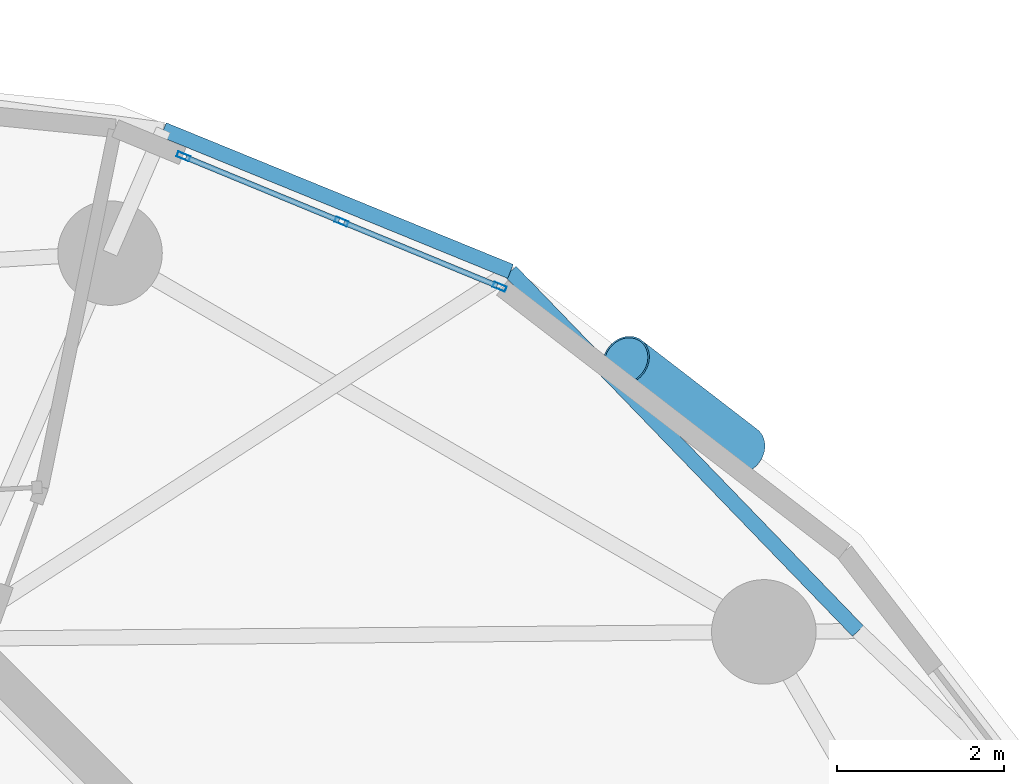
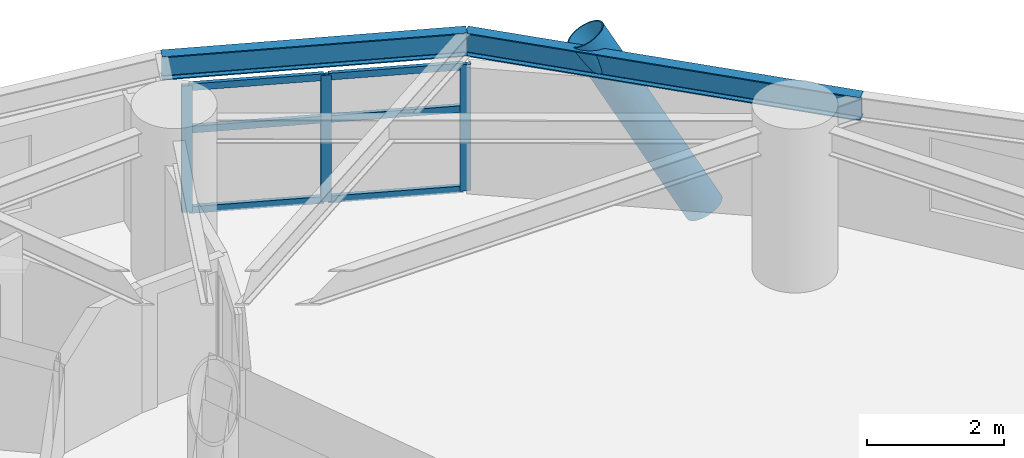
# One storey, part 5 of 16: 10 members, 2 beams, 1 element without a shape of its own.
"""IFC4 building model written with IfcOpenShell, lengths in metres."""

import ifcopenshell
import ifcopenshell.guid

model = None  # the IFC model being written
_history = None  # IfcOwnerHistory: only IFC2X3 demands one
_inside = {}  # id of a spatial element -> (the spatial element, [elements in it])
_under = {}  # id of a project, library or spatial element -> (it, [spatial elements below it])
_declared = {}  # id of a project -> (the project, [libraries it declares])
_typed = {}  # id of a type object -> (the type object, [elements of that type])
_made_of = {}  # id of a material, layer set ... -> (it, [elements and type objects made of it])


def new_model(schema):
    """Start an empty IFC model of exactly this schema.

    Asked for "IFC4X3", IfcOpenShell would pick the latest addendum, in which some entities
    have other attributes; the version numbers below select the first issue.
    IFC2X3 requires an IfcOwnerHistory on every rooted entity: one is made here for all.
    """
    global model, _history
    if schema == "IFC4X3":
        model = ifcopenshell.file(schema_version=(4, 3, 0, 0))
    else:
        model = ifcopenshell.file(schema=schema)
    _inside.clear()
    _under.clear()
    _declared.clear()
    _typed.clear()
    _made_of.clear()
    _history = None
    if model.schema == "IFC2X3":
        org = make("IfcOrganization", Name="unknown")
        user = make(
            "IfcPersonAndOrganization",
            ThePerson=make("IfcPerson", FamilyName="unknown"),
            TheOrganization=org,
        )
        app = make(
            "IfcApplication",
            ApplicationDeveloper=org,
            Version="unknown",
            ApplicationFullName="unknown",
            ApplicationIdentifier="unknown",
        )
        _history = make(
            "IfcOwnerHistory",
            OwningUser=user,
            OwningApplication=app,
            ChangeAction="ADDED",
            CreationDate=0,
        )
    return model


def make(cls, **values):
    """One entity of the class cls with the attributes given. An attribute that is None is left unset."""
    return model.create_entity(
        cls, **{name: value for name, value in values.items() if value is not None}
    )


def rooted(cls, **values):
    """An entity with a GlobalId (a new one), such as an element, a storey or a relation."""
    return make(cls, GlobalId=ifcopenshell.guid.new(), OwnerHistory=_history, **values)


def si_unit(unit_type, name, prefix=None):
    """IfcSIUnit, for example si_unit("LENGTHUNIT", "METRE", prefix="MILLI")."""
    return make("IfcSIUnit", UnitType=unit_type, Prefix=prefix, Name=name)


def assignment(units):
    """IfcUnitAssignment: the units of a project."""
    return None if units is None else make("IfcUnitAssignment", Units=units)


def point(xyz):
    """IfcCartesianPoint."""
    return None if xyz is None else make("IfcCartesianPoint", Coordinates=xyz)


def direction(xyz):
    """IfcDirection."""
    return None if xyz is None else make("IfcDirection", DirectionRatios=xyz)


def frame(location, z_axis=None, x_axis=None):
    """IfcAxis2Placement3D, a coordinate frame: its origin and axes. An axis left out is left unset."""
    return make(
        "IfcAxis2Placement3D",
        Location=point(location),
        Axis=direction(z_axis),
        RefDirection=direction(x_axis),
    )


def frame_2d(location, x_axis=None):
    """IfcAxis2Placement2D, a coordinate frame in the plane: its origin and x axis."""
    return make(
        "IfcAxis2Placement2D", Location=point(location), RefDirection=direction(x_axis)
    )


def origin():
    """The frame at (0, 0, 0) with its axes left unset."""
    return frame((0.0, 0.0, 0.0))


def origin_2d():
    """The frame at (0, 0) in the plane with its x axis left unset."""
    return frame_2d((0.0, 0.0))


def place(relative_to, where):
    """IfcLocalPlacement: puts the frame where relative to a parent placement (None: the world)."""
    return make(
        "IfcLocalPlacement", PlacementRelTo=relative_to, RelativePlacement=where
    )


def context(
    kind, dimensions, precision=None, world=None, true_north=None, identifier=None
):
    """IfcGeometricRepresentationContext, for example the 3D "Model" context."""
    return make(
        "IfcGeometricRepresentationContext",
        ContextIdentifier=identifier,
        ContextType=kind,
        CoordinateSpaceDimension=dimensions,
        Precision=precision,
        WorldCoordinateSystem=world,
        TrueNorth=true_north,
    )


def subcontext(parent, identifier, kind, view, scale=None):
    """IfcGeometricRepresentationSubContext, for example "Body" below "Model"."""
    return make(
        "IfcGeometricRepresentationSubContext",
        ContextIdentifier=identifier,
        ContextType=kind,
        ParentContext=parent,
        TargetScale=scale,
        TargetView=view,
    )


def project(units=None, contexts=None):
    """IfcProject with its units and contexts."""
    return rooted(
        "IfcProject",
        Name="project",
        RepresentationContexts=contexts,
        UnitsInContext=assignment(units),
    )


def spatial(cls, under=None, at=None, **own):
    """A site, building, storey or space (cls), placed at a placement, below another one or the project."""
    s = rooted(cls, ObjectPlacement=at, **own)
    if under is not None:
        _under.setdefault(under.id(), (under, []))[1].append(s)
    return s


def profile(cls, at=None, kind="AREA", **sizes):
    """A parametric profile (cls). Its sizes go by their IFC names, for example OverallWidth=200.0."""
    return make(cls, ProfileType=kind, Position=at, **sizes)


def hollow_rectangle(**sizes):
    """IfcRectangleHollowProfileDef."""
    return profile("IfcRectangleHollowProfileDef", **sizes)


def hollow_circle(**sizes):
    """IfcCircleHollowProfileDef."""
    return profile("IfcCircleHollowProfileDef", **sizes)


def i_section(**sizes):
    """IfcIShapeProfileDef."""
    return profile("IfcIShapeProfileDef", **sizes)


def extrude(swept, where, along, depth):
    """IfcExtrudedAreaSolid: the profile swept, set in the frame where, extruded along a direction by depth."""
    return make(
        "IfcExtrudedAreaSolid",
        SweptArea=swept,
        Position=where,
        ExtrudedDirection=direction(along),
        Depth=depth,
    )


def shape(context_of_items, identifier, shape_type, items):
    """IfcShapeRepresentation: the items that make up one representation, for example the "Body"."""
    return make(
        "IfcShapeRepresentation",
        ContextOfItems=context_of_items,
        RepresentationIdentifier=identifier,
        RepresentationType=shape_type,
        Items=items,
    )


def material(Name=None, Category=None):
    """IfcMaterial."""
    return make("IfcMaterial", Name=Name, Category=Category)


def layer(
    of_material, thickness, ventilated=None, Name=None, Category=None, Priority=None
):
    """IfcMaterialLayer: one layer of a wall or slab, of a material (None: an air gap)."""
    return make(
        "IfcMaterialLayer",
        Material=of_material,
        LayerThickness=thickness,
        IsVentilated=ventilated,
        Name=Name,
        Category=Category,
        Priority=Priority,
    )


def layer_set(layers, Name=None):
    """IfcMaterialLayerSet."""
    return make("IfcMaterialLayerSet", MaterialLayers=layers, LayerSetName=Name)


def material_profile(
    of_material, cross_section, Name=None, Category=None, Priority=None
):
    """IfcMaterialProfile: a cross section and its material."""
    return make(
        "IfcMaterialProfile",
        Name=Name,
        Material=of_material,
        Profile=cross_section,
        Priority=Priority,
        Category=Category,
    )


def profile_set(profiles, Name=None, composite=None):
    """IfcMaterialProfileSet."""
    return make(
        "IfcMaterialProfileSet",
        Name=Name,
        MaterialProfiles=profiles,
        CompositeProfile=composite,
    )


def made_of(thing, what):
    """Note that an element or type object is made of a material, layer set ...; save() writes the relation."""
    if what is not None:
        _made_of.setdefault(what.id(), (what, []))[1].append(thing)
    return thing


def type_object(cls, material=None, **own):
    """A type object (cls), such as IfcWallType, which elements share."""
    return made_of(rooted(cls, **own), material)


def element(
    cls,
    number,
    at=None,
    inside=None,
    cuts=None,
    type_object=None,
    material=None,
    context=None,
    identifier="Body",
    shape_type=None,
    held_by="IfcProductDefinitionShape",
    body=None,
    shapes=None,
    **own,
):
    """One element of the class cls, such as IfcWall. Its Tag is "e" and its number.

    at: its placement. inside: the storey or other place that contains it. cuts: it is an
    opening in that element (IfcRelVoidsElement). A single representation is given by context,
    identifier, shape_type and body (its items); several are given by shapes. held_by: the class
    of the entity that holds the representations. save() writes the other relations.
    """
    e = rooted(cls, Tag="e%d" % number, ObjectPlacement=at, **own)
    if body is not None:
        shapes = [shape(context, identifier, shape_type, body)]
    if shapes is not None:
        e.Representation = make(held_by, Representations=shapes)
    if inside is not None:
        _inside.setdefault(inside.id(), (inside, []))[1].append(e)
    if cuts is not None:
        rooted(
            "IfcRelVoidsElement", RelatingBuildingElement=cuts, RelatedOpeningElement=e
        )
    if type_object is not None:
        _typed.setdefault(type_object.id(), (type_object, []))[1].append(e)
    return made_of(e, material)


def aggregate(whole, parts):
    """IfcRelAggregates: a whole, such as a stair, and the parts it consists of."""
    return rooted("IfcRelAggregates", RelatingObject=whole, RelatedObjects=parts)


def save(model, path):
    """Write the relations noted so far, then the file.

    IfcRelAggregates (storeys below a building ...), IfcRelContainedInSpatialStructure (elements
    in a storey), IfcRelDefinesByType, IfcRelAssociatesMaterial and IfcRelDeclares: one each for
    every whole, place, type object, material and project.
    """
    for whole, parts in _under.values():
        aggregate(whole, parts)
    for where, things in _inside.values():
        rooted(
            "IfcRelContainedInSpatialStructure",
            RelatedElements=things,
            RelatingStructure=where,
        )
    for kind, things in _typed.values():
        rooted("IfcRelDefinesByType", RelatedObjects=things, RelatingType=kind)
    for what, things in _made_of.values():
        rooted("IfcRelAssociatesMaterial", RelatedObjects=things, RelatingMaterial=what)
    for by, libraries in _declared.values():
        rooted("IfcRelDeclares", RelatingContext=by, RelatedDefinitions=libraries)
    model.write(path)


model = new_model("IFC4")

# Units and contexts
model_context = context("Model", 3, precision=1e-05, world=origin(), true_north=direction((0.0, 1.0)))
body_context = subcontext(model_context, "Body", "Model", "MODEL_VIEW")
ifc_project = project(units=[si_unit("LENGTHUNIT", "METRE"), si_unit("AREAUNIT", "SQUARE_METRE"), si_unit("VOLUMEUNIT", "CUBIC_METRE"), si_unit("PLANEANGLEUNIT", "RADIAN"), si_unit("MASSUNIT", "GRAM", prefix="KILO")], contexts=[model_context])

# Site, building, storey
site_placement = place(None, origin())
site = spatial("IfcSite", under=ifc_project, at=site_placement, CompositionType="ELEMENT")
building_placement = place(site_placement, origin())
building = spatial("IfcBuilding", under=site, at=building_placement, Name="Cununo Teusaquillo Station Towers", CompositionType="ELEMENT")
storey_placement = place(building_placement, frame((0.0, 0.0, 171.969970703125)))
storey = spatial("IfcBuildingStorey", under=building, at=storey_placement, Name="L54", CompositionType="ELEMENT", Elevation=171.969970703125)

# Beams
ifc_material_1 = material(Name="Steel ASTM A572 Grade 50", Category="steel")
ifc_material_profile_1 = material_profile(ifc_material_1, i_section(OverallWidth=0.180908203125, OverallDepth=0.4169921875, WebThickness=0.010986328125, FlangeThickness=0.018310546875, FilletRadius=0.012939453125, at=origin_2d()), Name="W16X57")
ifc_profile_set_1 = profile_set([ifc_material_profile_1], Name="Steel ASTM A572 Grade 50")
beam_type = type_object("IfcBeamType", Name="BM-RING-Z3", PredefinedType="SPANDREL", material=ifc_profile_set_1)
beam_1_placement = place(storey_placement, frame((67.232666015625, 33.116455078125, 2.4814453125), z_axis=(-0.694791256552, 0.719211450005, 0.0), x_axis=(-0.719211450005, -0.694791256552, 0.0)))
element("IfcBeam", 1, at=beam_1_placement, inside=storey, type_object=beam_type, Name="L54 Tower B Spandrel Ring Beam 01", PredefinedType="SPANDREL", context=body_context, shape_type="SweptSolid", body=[
    extrude(i_section(OverallWidth=0.180908203125, OverallDepth=0.4169921875, WebThickness=0.010986328125, FlangeThickness=0.018310546875, FilletRadius=0.012939453125, at=origin_2d()), origin(), (0.0, 0.0, 1.0), 5.978515625),
])
beam_2_placement = place(storey_placement, frame((63.078857421875, 37.416259765625, 2.4814453125), z_axis=(-0.925823525235, 0.377956082264, 0.0), x_axis=(-0.377956082264, -0.925823525235, 0.0)))
element("IfcBeam", 2, at=beam_2_placement, inside=storey, type_object=beam_type, Name="L54 Tower B Spandrel Ring Beam 02", PredefinedType="SPANDREL", context=body_context, shape_type="SweptSolid", body=[
    extrude(i_section(OverallWidth=0.180908203125, OverallDepth=0.4169921875, WebThickness=0.010986328125, FlangeThickness=0.018310546875, FilletRadius=0.012939453125, at=origin_2d()), origin(), (0.0, 0.0, 1.0), 4.481689453125),
])

# Curtain wall, members
ifc_material_2 = material(Name="Operable acoustic tinted low-E double glazing", Category="glass")
ifc_layer = layer(ifc_material_2, 0.179931640625)
ifc_layer_set = layer_set([ifc_layer], Name="Operable acoustic tinted low-E double glazing")
curtain_wall_type = type_object("IfcCurtainWallType", Name="CW-SYS-06", PredefinedType="USERDEFINED", material=ifc_layer_set)
curtain_wall_placement = place(storey_placement, origin())
curtain_wall = element("IfcCurtainWall", 3, at=curtain_wall_placement, inside=storey, type_object=curtain_wall_type, Name="L54 Tower B Facade Curtain Wall C01", ObjectType="OPERABLE GLAZING", PredefinedType="USERDEFINED")
ifc_material_3 = material(Name="Anodised dark bronze aluminium EN AW-6063-T6", Category="aluminium")
ifc_material_profile_2 = material_profile(ifc_material_3, hollow_rectangle(XDim=0.06494140625, YDim=0.159912109375, WallThickness=0.00390625, at=origin_2d()), Name="CW-MULL-65x160")
ifc_profile_set_2 = profile_set([ifc_material_profile_2], Name="Anodised dark bronze aluminium EN AW-6063-T6")
member_type_1 = type_object("IfcMemberType", Name="CWM-160", PredefinedType="MULLION", material=ifc_profile_set_2)
member_1_placement = place(storey_placement, frame((59.16943359375, 38.791015625, 0.0), z_axis=(0.0, 0.0, 1.0), x_axis=(0.381229322376, 0.924480504803, 0.0)))
member_1 = element("IfcMember", 4, at=member_1_placement, type_object=member_type_1, Name="CW-06 mullion 1", PredefinedType="MULLION", context=body_context, shape_type="SweptSolid", body=[
    extrude(hollow_rectangle(XDim=0.06494140625, YDim=0.159912109375, WallThickness=0.00390625, at=origin_2d()), origin(), (0.0, 0.0, 1.0), 2.2451171875),
])
member_2_placement = place(storey_placement, frame((61.05908203125, 38.011962890625, 0.0), z_axis=(0.0, 0.0, 1.0), x_axis=(0.381229322376, 0.924480504803, 0.0)))
member_2 = element("IfcMember", 5, at=member_2_placement, type_object=member_type_1, Name="CW-06 mullion 2", PredefinedType="MULLION", context=body_context, shape_type="SweptSolid", body=[
    extrude(hollow_rectangle(XDim=0.06494140625, YDim=0.159912109375, WallThickness=0.00390625, at=origin_2d()), origin(), (0.0, 0.0, 1.0), 2.2451171875),
])
member_3_placement = place(storey_placement, frame((62.948974609375, 37.232666015625, 0.0), z_axis=(0.0, 0.0, 1.0), x_axis=(0.381229322376, 0.924480504803, 0.0)))
member_3 = element("IfcMember", 6, at=member_3_placement, type_object=member_type_1, Name="CW-06 mullion 3", PredefinedType="MULLION", context=body_context, shape_type="SweptSolid", body=[
    extrude(hollow_rectangle(XDim=0.06494140625, YDim=0.159912109375, WallThickness=0.00390625, at=origin_2d()), origin(), (0.0, 0.0, 1.0), 2.2451171875),
])
ifc_material_4 = material(Name="Anodised dark bronze aluminium EN AW-6063-T6", Category="aluminium")
ifc_material_profile_3 = material_profile(ifc_material_4, hollow_rectangle(XDim=0.06494140625, YDim=0.1201171875, WallThickness=0.00390625, at=origin_2d()), Name="CW-TRAN-65x120")
ifc_profile_set_3 = profile_set([ifc_material_profile_3], Name="Anodised dark bronze aluminium EN AW-6063-T6")
member_type_2 = type_object("IfcMemberType", Name="CWT-120", PredefinedType="USERDEFINED", material=ifc_profile_set_3)
member_4_placement = place(storey_placement, frame((59.199462890625, 38.77880859375, 0.032470703125), z_axis=(0.924450559311, -0.381301932056, 0.0), x_axis=(0.381301932056, 0.924450559311, 0.0)))
member_4 = element("IfcMember", 7, at=member_4_placement, type_object=member_type_2, Name="CW-06 transom 1.1", ObjectType="TRANSOM", PredefinedType="USERDEFINED", context=body_context, shape_type="SweptSolid", body=[
    extrude(hollow_rectangle(XDim=0.06494140625, YDim=0.1201171875, WallThickness=0.00390625, at=origin_2d()), origin(), (0.0, 0.0, 1.0), 1.97900390625),
])
member_5_placement = place(storey_placement, frame((59.199462890625, 38.77880859375, 1.458984375), z_axis=(0.924450559311, -0.381301932056, 0.0), x_axis=(0.381301932056, 0.924450559311, 0.0)))
member_5 = element("IfcMember", 8, at=member_5_placement, type_object=member_type_2, Name="CW-06 transom 1.2", ObjectType="TRANSOM", PredefinedType="USERDEFINED", context=body_context, shape_type="SweptSolid", body=[
    extrude(hollow_rectangle(XDim=0.06494140625, YDim=0.1201171875, WallThickness=0.00390625, at=origin_2d()), origin(), (0.0, 0.0, 1.0), 1.97900390625),
])
member_6_placement = place(storey_placement, frame((59.199462890625, 38.77880859375, 2.212646484375), z_axis=(0.924450559311, -0.381301932056, 0.0), x_axis=(0.381301932056, 0.924450559311, 0.0)))
member_6 = element("IfcMember", 9, at=member_6_placement, type_object=member_type_2, Name="CW-06 transom 1.3", ObjectType="TRANSOM", PredefinedType="USERDEFINED", context=body_context, shape_type="SweptSolid", body=[
    extrude(hollow_rectangle(XDim=0.06494140625, YDim=0.1201171875, WallThickness=0.00390625, at=origin_2d()), origin(), (0.0, 0.0, 1.0), 1.97900390625),
])
member_7_placement = place(storey_placement, frame((61.089111328125, 37.99951171875, 0.032470703125), z_axis=(0.924450559311, -0.381301932056, 0.0), x_axis=(0.381301932056, 0.924450559311, 0.0)))
member_7 = element("IfcMember", 10, at=member_7_placement, type_object=member_type_2, Name="CW-06 transom 2.1", ObjectType="TRANSOM", PredefinedType="USERDEFINED", context=body_context, shape_type="SweptSolid", body=[
    extrude(hollow_rectangle(XDim=0.06494140625, YDim=0.1201171875, WallThickness=0.00390625, at=origin_2d()), origin(), (0.0, 0.0, 1.0), 1.97900390625),
])
member_8_placement = place(storey_placement, frame((61.089111328125, 37.99951171875, 1.458984375), z_axis=(0.924450559311, -0.381301932056, 0.0), x_axis=(0.381301932056, 0.924450559311, 0.0)))
member_8 = element("IfcMember", 11, at=member_8_placement, type_object=member_type_2, Name="CW-06 transom 2.2", ObjectType="TRANSOM", PredefinedType="USERDEFINED", context=body_context, shape_type="SweptSolid", body=[
    extrude(hollow_rectangle(XDim=0.06494140625, YDim=0.1201171875, WallThickness=0.00390625, at=origin_2d()), origin(), (0.0, 0.0, 1.0), 1.97900390625),
])
member_9_placement = place(storey_placement, frame((61.089111328125, 37.99951171875, 2.212646484375), z_axis=(0.924450559311, -0.381301932056, 0.0), x_axis=(0.381301932056, 0.924450559311, 0.0)))
member_9 = element("IfcMember", 12, at=member_9_placement, type_object=member_type_2, Name="CW-06 transom 2.3", ObjectType="TRANSOM", PredefinedType="USERDEFINED", context=body_context, shape_type="SweptSolid", body=[
    extrude(hollow_rectangle(XDim=0.06494140625, YDim=0.1201171875, WallThickness=0.00390625, at=origin_2d()), origin(), (0.0, 0.0, 1.0), 1.97900390625),
])
aggregate(curtain_wall, [member_1, member_2, member_3, member_4, member_5, member_6, member_7, member_8, member_9])

# Member
ifc_material_5 = material(Name="Steel EN 10025-2 S355J2", Category="steel")
ifc_material_profile_4 = material_profile(ifc_material_5, hollow_circle(Radius=0.304931640625, WallThickness=0.02001953125, at=origin_2d()), Name="CHS 610x20")
ifc_profile_set_4 = profile_set([ifc_material_profile_4], Name="Steel EN 10025-2 S355J2")
member_type_3 = type_object("IfcMemberType", Name="MBR-DIAG-Z3", PredefinedType="BRACE", material=ifc_profile_set_4)
member_10_placement = place(storey_placement, frame((65.841796875, 35.28759765625, -0.139892578125), z_axis=(-0.407241996749, 0.313761283942, 0.857734115436), x_axis=(-0.610319422527, -0.792155415614, 0.0)))
element("IfcMember", 13, at=member_10_placement, inside=storey, type_object=member_type_3, Name="L54 Tower B Folded-Zigzag Diagrid Tube C00", PredefinedType="BRACE", context=body_context, shape_type="SweptSolid", body=[
    extrude(hollow_circle(Radius=0.304931640625, WallThickness=0.02001953125, at=origin_2d()), origin(), (0.0, 0.0, 1.0), 3.392578125),
])

save(model, "model.ifc")
